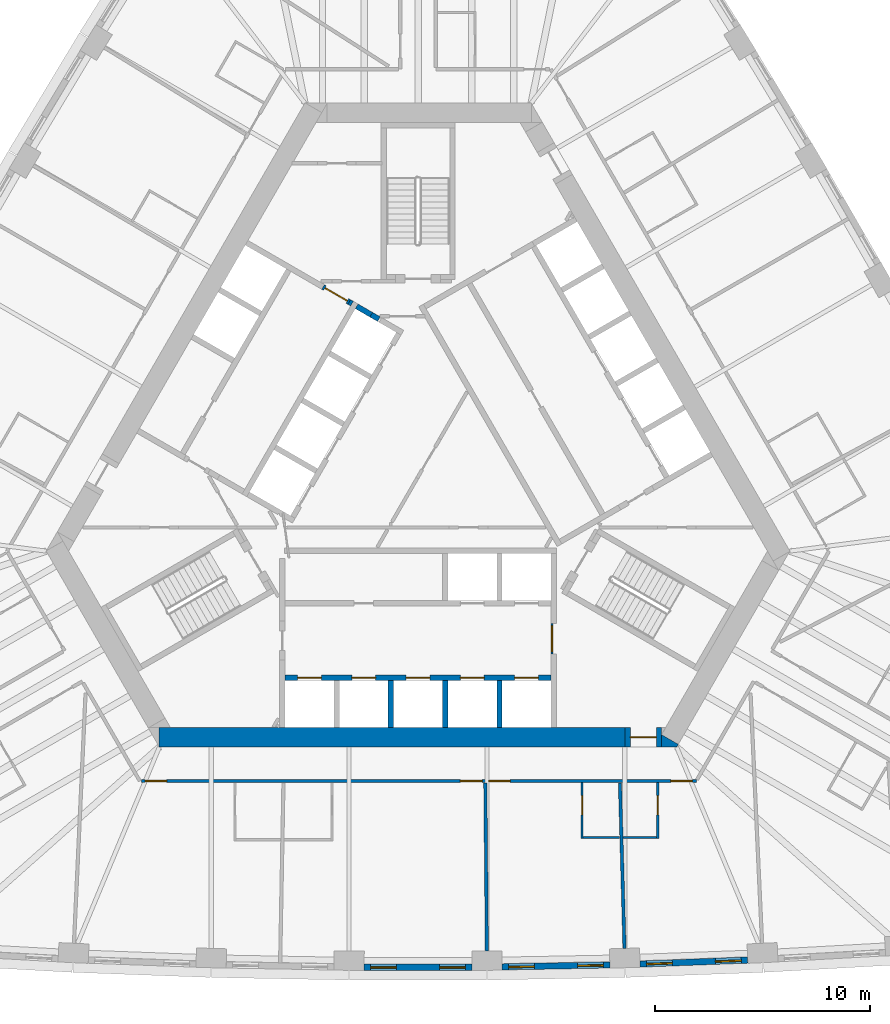
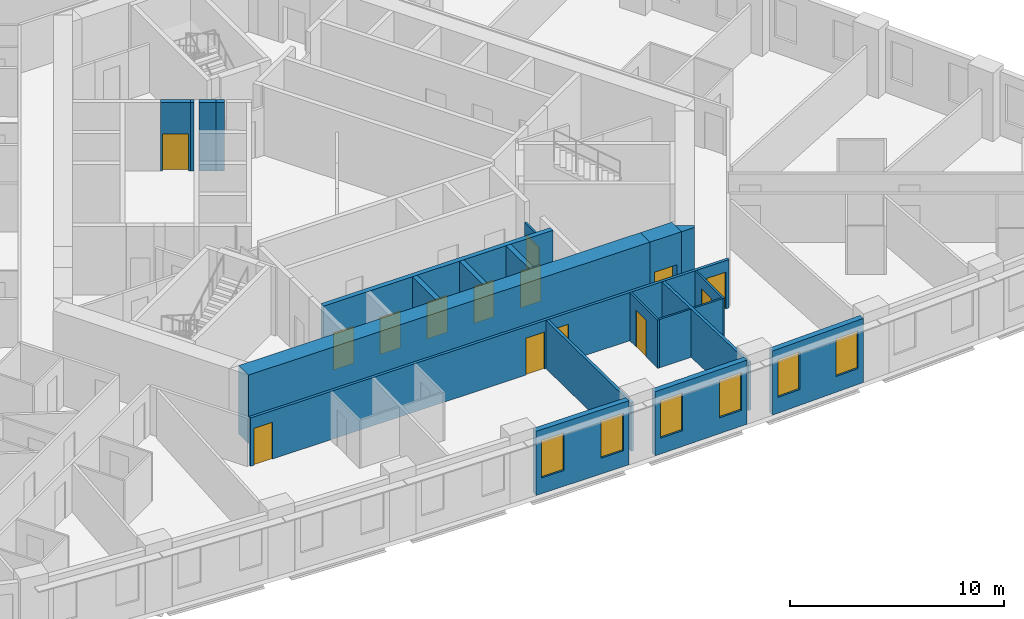
# One storey, part 6 of 13: 22 walls, 14 doors, 6 windows, 20 openings.
"""IFC4 building model written with IfcOpenShell, lengths in metres."""

from ifc_helpers import new_model, si_unit, direction, frame, frame_2d, origin, place, context, subcontext, project, spatial, polyline, rectangle, outline, extrude, material, layer, layer_set, type_object, element, fill, save


model = new_model("IFC4")

# Units and contexts
model_context = context("Model", 3, precision=1e-05, world=origin(), true_north=direction((0.0, 1.0)))
body_context = subcontext(model_context, "Body", "Model", "MODEL_VIEW")
ifc_project = project(units=[si_unit("LENGTHUNIT", "METRE"), si_unit("AREAUNIT", "SQUARE_METRE"), si_unit("VOLUMEUNIT", "CUBIC_METRE"), si_unit("PLANEANGLEUNIT", "RADIAN"), si_unit("MASSUNIT", "GRAM", prefix="KILO")], contexts=[model_context])

# Site, building, storey
site_placement = place(None, origin())
site = spatial("IfcSite", under=ifc_project, at=site_placement, CompositionType="ELEMENT")
building_placement = place(site_placement, origin())
building = spatial("IfcBuilding", under=site, at=building_placement, Name="Mestral Congress Tower", CompositionType="ELEMENT")
storey_placement = place(building_placement, frame((0.0, 0.0, 58.800048828125)))
storey = spatial("IfcBuildingStorey", under=building, at=storey_placement, Name="L13", CompositionType="ELEMENT", Elevation=58.800048828125)

# Wall, opening, door
ifc_material_1 = material(Name="Fire-rated board partition")
ifc_layer_1 = layer(ifc_material_1, 0.090087890625)
ifc_layer_set_1 = layer_set([ifc_layer_1], Name="Fire-rated board partition")
wall_type_1 = type_object("IfcWallType", Name="Core partition 150 door-wall 90", PredefinedType="PARTITIONING", material=ifc_layer_set_1)
wall_1_placement = place(storey_placement, frame((6.219970703125, -7.266357421875, 0.0), z_axis=(0.0, 0.0, 1.0), x_axis=(0.0, -1.0, 0.0)))
wall_1 = element("IfcWall", 1, at=wall_1_placement, inside=storey, type_object=wall_type_1, Name="L13 door wall", PredefinedType="PARTITIONING", context=body_context, shape_type="SweptSolid", body=[
    extrude(rectangle(XDim=1.400146484375, YDim=0.090087890625, at=frame_2d((0.7001953125, 0.0))), origin(), (0.0, 0.0, 1.0), 2.75),
])
opening_1_placement = place(wall_1_placement, frame((0.10009765625, 0.0, 0.0)))
opening_1 = element("IfcOpeningElement", 2, at=opening_1_placement, cuts=wall_1, Name="Opening LB0-WL1", PredefinedType="OPENING", context=body_context, shape_type="SweptSolid", body=[
    extrude(rectangle(XDim=1.199951171875, YDim=2.10009765625, at=frame_2d((0.60009765625, 1.050048828125))), frame((0.0, 0.054931640625, 0.0), z_axis=(0.0, -1.0, 0.0), x_axis=(1.0, 0.0, 0.0)), (0.0, 0.0, 1.0), 0.110107421875),
])
ifc_material_2 = material(Name="Fire-rated steel door set", Category="steel")
door_type_1 = type_object("IfcDoorType", Name="Core door LB 1200x2100", OperationType="SINGLE_SWING_LEFT", PredefinedType="DOOR", material=ifc_material_2)
door_1_placement = place(opening_1_placement, origin())
door_1 = element("IfcDoor", 3, at=door_1_placement, inside=storey, type_object=door_type_1, Name="Door LB0-WL1", OperationType="SINGLE_SWING_LEFT", OverallHeight=2.10009765625, OverallWidth=1.199951171875, PredefinedType="DOOR", context=body_context, shape_type="SweptSolid", body=[
    extrude(rectangle(XDim=1.199951171875, YDim=2.10009765625, at=frame_2d((0.60009765625, 1.050048828125))), frame((0.0, 0.02490234375, 0.0), z_axis=(0.0, -1.0, 0.0), x_axis=(1.0, 0.0, 0.0)), (0.0, 0.0, 1.0), 0.050048828125),
])
fill(opening_1, door_1)

# Walls
ifc_material_3 = material(Name="Concrete C60/75", Category="concrete")
ifc_layer_2 = layer(ifc_material_3, 0.89990234375)
ifc_layer_set_2 = layer_set([ifc_layer_2], Name="Concrete C60/75")
wall_type_2 = type_object("IfcWallType", Name="Core wall RC 900", PredefinedType="SOLIDWALL", material=ifc_layer_set_2)
placement = place(storey_placement, origin())
element("IfcWall", 4, at=placement, inside=storey, type_object=wall_type_2, Name="L13 core wall", PredefinedType="SOLIDWALL", context=body_context, shape_type="SweptSolid", body=[
    extrude(outline(polyline([(12.0087890625, -13.0), (11.31201171875, -13.0), (11.31201171875, -12.425048828125), (12.08349609375, -12.87060546875), (12.0087890625, -13.0)])), origin(), (0.0, 0.0, 1.0), 3.89990234375),
])
wall_3_placement = place(storey_placement, frame((-12.0185546875, -12.550048828125, 0.0), z_axis=(0.0, 0.0, 1.0), x_axis=(1.0, 0.0, 0.0)))
element("IfcWall", 5, at=wall_3_placement, inside=storey, type_object=wall_type_2, Name="L13 core wall", PredefinedType="SOLIDWALL", context=body_context, shape_type="SweptSolid", body=[
    extrude(rectangle(XDim=21.63037109375, YDim=0.89990234375, at=frame_2d((10.815185546875, 0.0))), origin(), (0.0, 0.0, 1.0), 3.89990234375),
])

# Wall, opening, door
wall_4_placement = place(storey_placement, frame((11.311767578125, -12.550048828125, 0.0), z_axis=(0.0, 0.0, 1.0), x_axis=(-1.0, 0.0, 0.0)))
wall_4 = element("IfcWall", 6, at=wall_4_placement, inside=storey, type_object=wall_type_2, Name="L13 door wall", PredefinedType="SOLIDWALL", context=body_context, shape_type="SweptSolid", body=[
    extrude(rectangle(XDim=1.699951171875, YDim=0.89990234375, at=frame_2d((0.85009765625, 0.0))), origin(), (0.0, 0.0, 1.0), 3.89990234375),
])
opening_2_placement = place(wall_4_placement, frame((0.25, 0.0, 0.0)))
opening_2 = element("IfcOpeningElement", 7, at=opening_2_placement, cuts=wall_4, Name="Opening XD1", PredefinedType="OPENING", context=body_context, shape_type="SweptSolid", body=[
    extrude(rectangle(XDim=1.199951171875, YDim=2.10009765625, at=frame_2d((0.60009765625, 1.050048828125))), frame((0.0, 0.4599609375, 0.0), z_axis=(0.0, -1.0, 0.0), x_axis=(1.0, 0.0, 0.0)), (0.0, 0.0, 1.0), 0.919921875),
])
door_type_2 = type_object("IfcDoorType", Name="Core door XD 1200x2100", OperationType="SINGLE_SWING_LEFT", PredefinedType="DOOR", material=ifc_material_2)
door_2_placement = place(opening_2_placement, origin())
door_2 = element("IfcDoor", 8, at=door_2_placement, inside=storey, type_object=door_type_2, Name="Door XD1", OperationType="SINGLE_SWING_LEFT", OverallHeight=2.10009765625, OverallWidth=1.199951171875, PredefinedType="DOOR", context=body_context, shape_type="SweptSolid", body=[
    extrude(rectangle(XDim=1.199951171875, YDim=2.10009765625, at=frame_2d((0.60009765625, 1.050048828125))), frame((0.0, 0.02490234375, 0.0), z_axis=(0.0, -1.0, 0.0), x_axis=(1.0, 0.0, 0.0)), (0.0, 0.0, 1.0), 0.050048828125),
])
fill(opening_2, door_2)

# Wall, openings, windows
ifc_material_4 = material(Name="Precast concrete C40/50 with limestone facing", Category="masonry")
ifc_layer_3 = layer(ifc_material_4, 0.2900390625)
ifc_layer_set_3 = layer_set([ifc_layer_3], Name="Precast concrete C40/50 with limestone facing")
wall_type_3 = type_object("IfcWallType", Name="Facade stone wall 290", PredefinedType="SOLIDWALL", material=ifc_layer_set_3)
wall_5_placement = place(storey_placement, frame((-2.4990234375, -23.21826171875, 0.0), z_axis=(0.0, 0.0, 1.0), x_axis=(1.0, 0.0, 0.0)))
wall_5 = element("IfcWall", 9, at=wall_5_placement, inside=storey, type_object=wall_type_3, Name="Facade wall F0-04", PredefinedType="SOLIDWALL", context=body_context, shape_type="SweptSolid", body=[
    extrude(rectangle(XDim=4.998046875, YDim=0.2900390625, at=frame_2d((2.4990234375, 0.0))), origin(), (0.0, 0.0, 1.0), 3.64990234375),
])
opening_3_placement = place(wall_5_placement, frame((0.297119140625, 0.0, 0.89990234375)))
opening_3 = element("IfcOpeningElement", 10, at=opening_3_placement, cuts=wall_5, Name="Opening W1", PredefinedType="OPENING", context=body_context, shape_type="SweptSolid", body=[
    extrude(rectangle(XDim=1.199951171875, YDim=2.14990234375, at=frame_2d((0.60009765625, 1.074951171875))), frame((0.0, 0.155029296875, 0.0), z_axis=(0.0, -1.0, 0.0), x_axis=(1.0, 0.0, 0.0)), (0.0, 0.0, 1.0), 0.31005859375),
])
opening_4_placement = place(wall_5_placement, frame((3.501220703125, 0.0, 0.89990234375)))
opening_4 = element("IfcOpeningElement", 11, at=opening_4_placement, cuts=wall_5, Name="Opening W1", PredefinedType="OPENING", context=body_context, shape_type="SweptSolid", body=[
    extrude(rectangle(XDim=1.199951171875, YDim=2.14990234375, at=frame_2d((0.60009765625, 1.074951171875))), frame((0.0, 0.155029296875, 0.0), z_axis=(0.0, -1.0, 0.0), x_axis=(1.0, 0.0, 0.0)), (0.0, 0.0, 1.0), 0.31005859375),
])
ifc_material_5 = material(Name="Clear low-emissivity double glazing", Category="glass")
window_type = type_object("IfcWindowType", Name="Facade punched window 1200 x 2150 sill 900", PartitioningType="DOUBLE_PANEL_VERTICAL", PredefinedType="WINDOW", material=ifc_material_5)
window_1_placement = place(opening_3_placement, origin())
window_1 = element("IfcWindow", 12, at=window_1_placement, inside=storey, type_object=window_type, Name="Window F0-04a", OverallHeight=2.14990234375, OverallWidth=1.199951171875, PartitioningType="DOUBLE_PANEL_VERTICAL", PredefinedType="WINDOW", context=body_context, shape_type="SweptSolid", body=[
    extrude(rectangle(XDim=1.199951171875, YDim=2.14990234375, at=frame_2d((0.60009765625, 1.074951171875))), frame((0.0, 0.01513671875, 0.0), z_axis=(0.0, -1.0, 0.0), x_axis=(1.0, 0.0, 0.0)), (0.0, 0.0, 1.0), 0.06005859375),
])
fill(opening_3, window_1)
window_2_placement = place(opening_4_placement, origin())
window_2 = element("IfcWindow", 13, at=window_2_placement, inside=storey, type_object=window_type, Name="Window F0-04b", OverallHeight=2.14990234375, OverallWidth=1.199951171875, PartitioningType="DOUBLE_PANEL_VERTICAL", PredefinedType="WINDOW", context=body_context, shape_type="SweptSolid", body=[
    extrude(rectangle(XDim=1.199951171875, YDim=2.14990234375, at=frame_2d((0.60009765625, 1.074951171875))), frame((0.0, 0.01513671875, 0.0), z_axis=(0.0, -1.0, 0.0), x_axis=(1.0, 0.0, 0.0)), (0.0, 0.0, 1.0), 0.06005859375),
])
fill(opening_4, window_2)

wall_6_placement = place(storey_placement, frame((3.90625, -23.205078125, 0.0), z_axis=(0.0, 0.0, 1.0), x_axis=(0.999829529479, 0.018463801951, 0.0)))
wall_6 = element("IfcWall", 14, at=wall_6_placement, inside=storey, type_object=wall_type_3, Name="Facade wall F0-05", PredefinedType="SOLIDWALL", context=body_context, shape_type="SweptSolid", body=[
    extrude(rectangle(XDim=4.998046875, YDim=0.2900390625, at=frame_2d((2.4990234375, 0.0))), origin(), (0.0, 0.0, 1.0), 3.64990234375),
])
opening_5_placement = place(wall_6_placement, frame((0.297119140625, 0.0, 0.89990234375)))
opening_5 = element("IfcOpeningElement", 15, at=opening_5_placement, cuts=wall_6, Name="Opening W1", PredefinedType="OPENING", context=body_context, shape_type="SweptSolid", body=[
    extrude(rectangle(XDim=1.199951171875, YDim=2.14990234375, at=frame_2d((0.60009765625, 1.074951171875))), frame((0.0, 0.155029296875, 0.0), z_axis=(0.0, -1.0, 0.0), x_axis=(1.0, 0.0, 0.0)), (0.0, 0.0, 1.0), 0.31005859375),
])
opening_6_placement = place(wall_6_placement, frame((3.501220703125, 0.0, 0.89990234375)))
opening_6 = element("IfcOpeningElement", 16, at=opening_6_placement, cuts=wall_6, Name="Opening W1", PredefinedType="OPENING", context=body_context, shape_type="SweptSolid", body=[
    extrude(rectangle(XDim=1.199951171875, YDim=2.14990234375, at=frame_2d((0.60009765625, 1.074951171875))), frame((0.0, 0.155029296875, 0.0), z_axis=(0.0, -1.0, 0.0), x_axis=(1.0, 0.0, 0.0)), (0.0, 0.0, 1.0), 0.31005859375),
])
window_3_placement = place(opening_5_placement, origin())
window_3 = element("IfcWindow", 17, at=window_3_placement, inside=storey, type_object=window_type, Name="Window F0-05a", OverallHeight=2.14990234375, OverallWidth=1.199951171875, PartitioningType="DOUBLE_PANEL_VERTICAL", PredefinedType="WINDOW", context=body_context, shape_type="SweptSolid", body=[
    extrude(rectangle(XDim=1.199951171875, YDim=2.14990234375, at=frame_2d((0.60009765625, 1.074951171875))), frame((0.0, 0.01513671875, 0.0), z_axis=(0.0, -1.0, 0.0), x_axis=(1.0, 0.0, 0.0)), (0.0, 0.0, 1.0), 0.06005859375),
])
fill(opening_5, window_3)
window_4_placement = place(opening_6_placement, origin())
window_4 = element("IfcWindow", 18, at=window_4_placement, inside=storey, type_object=window_type, Name="Window F0-05b", OverallHeight=2.14990234375, OverallWidth=1.199951171875, PartitioningType="DOUBLE_PANEL_VERTICAL", PredefinedType="WINDOW", context=body_context, shape_type="SweptSolid", body=[
    extrude(rectangle(XDim=1.199951171875, YDim=2.14990234375, at=frame_2d((0.60009765625, 1.074951171875))), frame((0.0, 0.01513671875, 0.0), z_axis=(0.0, -1.0, 0.0), x_axis=(1.0, 0.0, 0.0)), (0.0, 0.0, 1.0), 0.06005859375),
])
fill(opening_6, window_4)

wall_7_placement = place(storey_placement, frame((10.310302734375, -23.07373046875, 0.0), z_axis=(0.0, 0.0, 1.0), x_axis=(0.999317974969, 0.036926750529, 0.0)))
wall_7 = element("IfcWall", 19, at=wall_7_placement, inside=storey, type_object=wall_type_3, Name="Facade wall F0-06", PredefinedType="SOLIDWALL", context=body_context, shape_type="SweptSolid", body=[
    extrude(rectangle(XDim=4.998291015625, YDim=0.2900390625, at=frame_2d((2.4990234375, 0.0))), origin(), (0.0, 0.0, 1.0), 3.64990234375),
])
opening_7_placement = place(wall_7_placement, frame((0.297119140625, 0.0, 0.89990234375)))
opening_7 = element("IfcOpeningElement", 20, at=opening_7_placement, cuts=wall_7, Name="Opening W1", PredefinedType="OPENING", context=body_context, shape_type="SweptSolid", body=[
    extrude(rectangle(XDim=1.199951171875, YDim=2.14990234375, at=frame_2d((0.60009765625, 1.074951171875))), frame((0.0, 0.155029296875, 0.0), z_axis=(0.0, -1.0, 0.0), x_axis=(1.0, 0.0, 0.0)), (0.0, 0.0, 1.0), 0.31005859375),
])
opening_8_placement = place(wall_7_placement, frame((3.501220703125, 0.0, 0.89990234375)))
opening_8 = element("IfcOpeningElement", 21, at=opening_8_placement, cuts=wall_7, Name="Opening W1", PredefinedType="OPENING", context=body_context, shape_type="SweptSolid", body=[
    extrude(rectangle(XDim=1.199951171875, YDim=2.14990234375, at=frame_2d((0.60009765625, 1.074951171875))), frame((0.0, 0.155029296875, 0.0), z_axis=(0.0, -1.0, 0.0), x_axis=(1.0, 0.0, 0.0)), (0.0, 0.0, 1.0), 0.31005859375),
])
window_5_placement = place(opening_7_placement, origin())
window_5 = element("IfcWindow", 22, at=window_5_placement, inside=storey, type_object=window_type, Name="Window F0-06a", OverallHeight=2.14990234375, OverallWidth=1.199951171875, PartitioningType="DOUBLE_PANEL_VERTICAL", PredefinedType="WINDOW", context=body_context, shape_type="SweptSolid", body=[
    extrude(rectangle(XDim=1.199951171875, YDim=2.14990234375, at=frame_2d((0.60009765625, 1.074951171875))), frame((0.0, 0.01513671875, 0.0), z_axis=(0.0, -1.0, 0.0), x_axis=(1.0, 0.0, 0.0)), (0.0, 0.0, 1.0), 0.06005859375),
])
fill(opening_7, window_5)
window_6_placement = place(opening_8_placement, origin())
window_6 = element("IfcWindow", 23, at=window_6_placement, inside=storey, type_object=window_type, Name="Window F0-06b", OverallHeight=2.14990234375, OverallWidth=1.199951171875, PartitioningType="DOUBLE_PANEL_VERTICAL", PredefinedType="WINDOW", context=body_context, shape_type="SweptSolid", body=[
    extrude(rectangle(XDim=1.199951171875, YDim=2.14990234375, at=frame_2d((0.60009765625, 1.074951171875))), frame((0.0, 0.01513671875, 0.0), z_axis=(0.0, -1.0, 0.0), x_axis=(1.0, 0.0, 0.0)), (0.0, 0.0, 1.0), 0.06005859375),
])
fill(opening_8, window_6)

# Wall, opening, door
ifc_material_6 = material(Name="Gypsum board partition on metal studs with mineral wool", Category="composite")
ifc_layer_4 = layer(ifc_material_6, 0.10009765625)
ifc_layer_set_4 = layer_set([ifc_layer_4], Name="Gypsum board partition on metal studs with mineral wool")
wall_type_4 = type_object("IfcWallType", Name="Hotel partition wall 100", PredefinedType="PARTITIONING", material=ifc_layer_set_4)
wall_8_placement = place(storey_placement, frame((7.619140625, -14.64990234375, 0.0), z_axis=(0.0, 0.0, 1.0), x_axis=(0.0, -1.0, 0.0)))
wall_8 = element("IfcWall", 24, at=wall_8_placement, inside=storey, type_object=wall_type_4, Name="L13-h-pod05a", PredefinedType="PARTITIONING", context=body_context, shape_type="SweptSolid", body=[
    extrude(rectangle(XDim=2.60009765625, YDim=0.10009765625, at=frame_2d((1.300048828125, 0.0))), origin(), (0.0, 0.0, 1.0), 2.75),
])
opening_9_placement = place(wall_8_placement, frame((0.60009765625, 0.0, 0.0)))
opening_9 = element("IfcOpeningElement", 25, at=opening_9_placement, cuts=wall_8, Name="Opening H03-010", PredefinedType="OPENING", context=body_context, shape_type="SweptSolid", body=[
    extrude(rectangle(XDim=0.89990234375, YDim=2.10009765625, at=frame_2d((0.449951171875, 1.050048828125))), frame((0.0, 0.06005859375, 0.0), z_axis=(0.0, -1.0, 0.0), x_axis=(1.0, 0.0, 0.0)), (0.0, 0.0, 1.0), 0.1201171875),
])
ifc_material_7 = material(Name="Timber veneer door leaf in timber frame", Category="wood")
door_type_3 = type_object("IfcDoorType", Name="Bathroom door 900", OperationType="SINGLE_SWING_LEFT", PredefinedType="DOOR", material=ifc_material_7)
door_3_placement = place(opening_9_placement, origin())
door_3 = element("IfcDoor", 26, at=door_3_placement, inside=storey, type_object=door_type_3, Name="L13-h-d010", OperationType="SINGLE_SWING_LEFT", OverallHeight=2.10009765625, OverallWidth=0.89990234375, PredefinedType="DOOR", context=body_context, shape_type="SweptSolid", body=[
    extrude(rectangle(XDim=0.89990234375, YDim=2.10009765625, at=frame_2d((0.449951171875, 1.050048828125))), frame((0.0, 0.02490234375, 0.0), z_axis=(0.0, -1.0, 0.0), x_axis=(1.0, 0.0, 0.0)), (0.0, 0.0, 1.0), 0.050048828125),
])
fill(opening_9, door_3)

# Wall
wall_9_placement = place(storey_placement, frame((7.669189453125, -17.199951171875, 0.0), z_axis=(0.0, 0.0, 1.0), x_axis=(1.0, 0.0, 0.0)))
element("IfcWall", 27, at=wall_9_placement, inside=storey, type_object=wall_type_4, Name="L13-h-pod05b", PredefinedType="PARTITIONING", context=body_context, shape_type="SweptSolid", body=[
    extrude(rectangle(XDim=1.68994140625, YDim=0.10009765625, at=frame_2d((0.844970703125, 0.0))), origin(), (0.0, 0.0, 1.0), 2.75),
])

# Wall, opening, door
wall_10_placement = place(storey_placement, frame((11.126708984375, -17.25, 0.0), z_axis=(0.0, 0.0, 1.0), x_axis=(0.0, 1.0, 0.0)))
wall_10 = element("IfcWall", 28, at=wall_10_placement, inside=storey, type_object=wall_type_4, Name="L13-h-pod06a", PredefinedType="PARTITIONING", context=body_context, shape_type="SweptSolid", body=[
    extrude(rectangle(XDim=2.60009765625, YDim=0.10009765625, at=frame_2d((1.300048828125, 0.0))), origin(), (0.0, 0.0, 1.0), 2.75),
])
opening_10_placement = place(wall_10_placement, frame((1.10009765625, 0.0, 0.0)))
opening_10 = element("IfcOpeningElement", 29, at=opening_10_placement, cuts=wall_10, Name="Opening H03-012", PredefinedType="OPENING", context=body_context, shape_type="SweptSolid", body=[
    extrude(rectangle(XDim=0.89990234375, YDim=2.10009765625, at=frame_2d((0.449951171875, 1.050048828125))), frame((0.0, 0.06005859375, 0.0), z_axis=(0.0, -1.0, 0.0), x_axis=(1.0, 0.0, 0.0)), (0.0, 0.0, 1.0), 0.1201171875),
])
door_4_placement = place(opening_10_placement, origin())
door_4 = element("IfcDoor", 30, at=door_4_placement, inside=storey, type_object=door_type_3, Name="L13-h-d012", OperationType="SINGLE_SWING_RIGHT", OverallHeight=2.10009765625, OverallWidth=0.89990234375, PredefinedType="DOOR", context=body_context, shape_type="SweptSolid", body=[
    extrude(rectangle(XDim=0.89990234375, YDim=2.10009765625, at=frame_2d((0.449951171875, 1.050048828125))), frame((0.0, 0.02490234375, 0.0), z_axis=(0.0, -1.0, 0.0), x_axis=(1.0, 0.0, 0.0)), (0.0, 0.0, 1.0), 0.050048828125),
])
fill(opening_10, door_4)

# Wall
wall_11_placement = place(storey_placement, frame((11.07666015625, -17.199951171875, 0.0), z_axis=(0.0, 0.0, 1.0), x_axis=(-1.0, 0.0, 0.0)))
element("IfcWall", 31, at=wall_11_placement, inside=storey, type_object=wall_type_4, Name="L13-h-pod06b", PredefinedType="PARTITIONING", context=body_context, shape_type="SweptSolid", body=[
    extrude(rectangle(XDim=1.550048828125, YDim=0.10009765625, at=frame_2d((0.77490234375, 0.0))), origin(), (0.0, 0.0, 1.0), 2.75),
])

# Wall, openings, doors
ifc_layer_5 = layer(ifc_material_6, 0.14990234375)
ifc_layer_set_5 = layer_set([ifc_layer_5], Name="Gypsum board partition on metal studs with mineral wool")
wall_type_5 = type_object("IfcWallType", Name="Hotel partition wall 150", PredefinedType="PARTITIONING", material=ifc_layer_set_5)
wall_12_placement = place(storey_placement, frame((12.918212890625, -14.574951171875, 0.0), z_axis=(0.0, 0.0, 1.0), x_axis=(-1.0, 0.0, 0.0)))
wall_12 = element("IfcWall", 32, at=wall_12_placement, inside=storey, type_object=wall_type_5, Name="L13-h-cw13", PredefinedType="PARTITIONING", context=body_context, shape_type="SweptSolid", body=[
    extrude(rectangle(XDim=25.766357421875, YDim=0.14990234375, at=frame_2d((12.88330078125, 0.0))), origin(), (0.0, 0.0, 1.0), 2.75),
])
opening_11_placement = place(wall_12_placement, frame((24.58642578125, 0.0, 0.0)))
opening_11 = element("IfcOpeningElement", 33, at=opening_11_placement, cuts=wall_12, Name="Opening H03-005", PredefinedType="OPENING", context=body_context, shape_type="SweptSolid", body=[
    extrude(rectangle(XDim=1.0, YDim=2.10009765625, at=frame_2d((0.5, 1.050048828125))), frame((0.0, 0.0849609375, 0.0), z_axis=(0.0, -1.0, 0.0), x_axis=(1.0, 0.0, 0.0)), (0.0, 0.0, 1.0), 0.169921875),
])
opening_12_placement = place(wall_12_placement, frame((9.947998046875, 0.0, 0.0)))
opening_12 = element("IfcOpeningElement", 34, at=opening_12_placement, cuts=wall_12, Name="Opening H03-007", PredefinedType="OPENING", context=body_context, shape_type="SweptSolid", body=[
    extrude(rectangle(XDim=1.0, YDim=2.10009765625, at=frame_2d((0.5, 1.050048828125))), frame((0.0, 0.0849609375, 0.0), z_axis=(0.0, -1.0, 0.0), x_axis=(1.0, 0.0, 0.0)), (0.0, 0.0, 1.0), 0.169921875),
])
opening_13_placement = place(wall_12_placement, frame((8.6416015625, 0.0, 0.0)))
opening_13 = element("IfcOpeningElement", 35, at=opening_13_placement, cuts=wall_12, Name="Opening H03-009", PredefinedType="OPENING", context=body_context, shape_type="SweptSolid", body=[
    extrude(rectangle(XDim=1.0, YDim=2.10009765625, at=frame_2d((0.5, 1.050048828125))), frame((0.0, 0.0849609375, 0.0), z_axis=(0.0, -1.0, 0.0), x_axis=(1.0, 0.0, 0.0)), (0.0, 0.0, 1.0), 0.169921875),
])
opening_14_placement = place(wall_12_placement, frame((0.179931640625, 0.0, 0.0)))
opening_14 = element("IfcOpeningElement", 36, at=opening_14_placement, cuts=wall_12, Name="Opening H03-011", PredefinedType="OPENING", context=body_context, shape_type="SweptSolid", body=[
    extrude(rectangle(XDim=1.0, YDim=2.10009765625, at=frame_2d((0.5, 1.050048828125))), frame((0.0, 0.0849609375, 0.0), z_axis=(0.0, -1.0, 0.0), x_axis=(1.0, 0.0, 0.0)), (0.0, 0.0, 1.0), 0.169921875),
])
ifc_material_8 = material(Name="Timber veneer door leaf in metal frame", Category="wood")
door_type_4 = type_object("IfcDoorType", Name="Guest room entrance door 1000", OperationType="SINGLE_SWING_LEFT", PredefinedType="DOOR", material=ifc_material_8)
door_5_placement = place(opening_11_placement, origin())
door_5 = element("IfcDoor", 37, at=door_5_placement, inside=storey, type_object=door_type_4, Name="L13-h-d005", OperationType="SINGLE_SWING_RIGHT", OverallHeight=2.10009765625, OverallWidth=1.0, PredefinedType="DOOR", context=body_context, shape_type="SweptSolid", body=[
    extrude(rectangle(XDim=1.0, YDim=2.10009765625, at=frame_2d((0.5, 1.050048828125))), frame((0.0, 0.02490234375, 0.0), z_axis=(0.0, -1.0, 0.0), x_axis=(1.0, 0.0, 0.0)), (0.0, 0.0, 1.0), 0.050048828125),
])
fill(opening_11, door_5)
door_6_placement = place(opening_12_placement, origin())
door_6 = element("IfcDoor", 38, at=door_6_placement, inside=storey, type_object=door_type_4, Name="L13-h-d007", OperationType="SINGLE_SWING_LEFT", OverallHeight=2.10009765625, OverallWidth=1.0, PredefinedType="DOOR", context=body_context, shape_type="SweptSolid", body=[
    extrude(rectangle(XDim=1.0, YDim=2.10009765625, at=frame_2d((0.5, 1.050048828125))), frame((0.0, 0.02490234375, 0.0), z_axis=(0.0, -1.0, 0.0), x_axis=(1.0, 0.0, 0.0)), (0.0, 0.0, 1.0), 0.050048828125),
])
fill(opening_12, door_6)
door_7_placement = place(opening_13_placement, origin())
door_7 = element("IfcDoor", 39, at=door_7_placement, inside=storey, type_object=door_type_4, Name="L13-h-d009", OperationType="SINGLE_SWING_RIGHT", OverallHeight=2.10009765625, OverallWidth=1.0, PredefinedType="DOOR", context=body_context, shape_type="SweptSolid", body=[
    extrude(rectangle(XDim=1.0, YDim=2.10009765625, at=frame_2d((0.5, 1.050048828125))), frame((0.0, 0.02490234375, 0.0), z_axis=(0.0, -1.0, 0.0), x_axis=(1.0, 0.0, 0.0)), (0.0, 0.0, 1.0), 0.050048828125),
])
fill(opening_13, door_7)
door_8_placement = place(opening_14_placement, origin())
door_8 = element("IfcDoor", 40, at=door_8_placement, inside=storey, type_object=door_type_4, Name="L13-h-d011", OperationType="SINGLE_SWING_LEFT", OverallHeight=2.10009765625, OverallWidth=1.0, PredefinedType="DOOR", context=body_context, shape_type="SweptSolid", body=[
    extrude(rectangle(XDim=1.0, YDim=2.10009765625, at=frame_2d((0.5, 1.050048828125))), frame((0.0, 0.02490234375, 0.0), z_axis=(0.0, -1.0, 0.0), x_axis=(1.0, 0.0, 0.0)), (0.0, 0.0, 1.0), 0.050048828125),
])
fill(opening_14, door_8)

# Walls
wall_13_placement = place(storey_placement, frame((3.19580078125, -22.463134765625, 0.0), z_axis=(0.0, 0.0, 1.0), x_axis=(-0.00926060032, 0.999957119721, 0.0)))
element("IfcWall", 41, at=wall_13_placement, inside=storey, type_object=wall_type_5, Name="L13-h-pw17", PredefinedType="PARTITIONING", context=body_context, shape_type="SweptSolid", body=[
    extrude(rectangle(XDim=7.803466796875, YDim=0.14990234375, at=frame_2d((3.90185546875, 0.0))), origin(), (0.0, 0.0, 1.0), 2.75),
])
wall_14_placement = place(storey_placement, frame((9.586181640625, -22.34521484375, 0.0), z_axis=(0.0, 0.0, 1.0), x_axis=(-0.027722115646, 0.999615668297, 0.0)))
element("IfcWall", 42, at=wall_14_placement, inside=storey, type_object=wall_type_5, Name="L13-h-pw19", PredefinedType="PARTITIONING", context=body_context, shape_type="SweptSolid", body=[
    extrude(rectangle(XDim=7.688232421875, YDim=0.14990234375, at=frame_2d((3.84423828125, 0.0))), origin(), (0.0, 0.0, 1.0), 2.75),
])
ifc_layer_6 = layer(ifc_material_3, 0.25)
ifc_layer_set_6 = layer_set([ifc_layer_6], Name="Concrete C60/75")
wall_type_6 = type_object("IfcWallType", Name="Shaft wall RC 250", PredefinedType="SOLIDWALL", material=ifc_layer_set_6)
for number, where, z_axis, x_axis, name in (
    (43, (3.780029296875, -12.10009765625, 0.0), (0.0, 0.0, 1.0), (0.0, 1.0, 0.0), "L13 core wall"),
    (44, (1.260009765625, -12.10009765625, 0.0), (0.0, 0.0, 1.0), (0.0, 1.0, 0.0), "L13 core wall"),
    (45, (-1.260009765625, -12.10009765625, 0.0), (0.0, 0.0, 1.0), (0.0, 1.0, 0.0), "L13 core wall"),
):
    element("IfcWall", number, at=place(storey_placement, frame(where, z_axis=z_axis, x_axis=x_axis)), inside=storey, type_object=wall_type_6, Name=name, PredefinedType="SOLIDWALL", context=body_context, shape_type="SweptSolid", body=[
        extrude(rectangle(XDim=2.199951171875, YDim=0.25, at=frame_2d((1.10009765625, 0.0))), origin(), (0.0, 0.0, 1.0), 3.89990234375),
    ])
wall_15_placement = place(storey_placement, frame((-1.818603515625, 6.869873046875, 0.0), z_axis=(0.0, 0.0, 1.0), x_axis=(-0.866294599386, 0.499533449405, 0.0)))
element("IfcWall", 46, at=wall_15_placement, inside=storey, type_object=wall_type_6, Name="L13 core wall", PredefinedType="SOLIDWALL", context=body_context, shape_type="SweptSolid", body=[
    extrude(rectangle(XDim=0.41015625, YDim=0.25, at=frame_2d((0.205078125, 0.0))), origin(), (0.0, 0.0, 1.0), 3.89990234375),
])
wall_16_placement = place(storey_placement, frame((-2.849365234375, 7.46484375, 0.0), z_axis=(0.0, 0.0, 1.0), x_axis=(0.865955664968, -0.500120771724, 0.0)))
element("IfcWall", 47, at=wall_16_placement, inside=storey, type_object=wall_type_6, Name="L13 core wall", PredefinedType="SOLIDWALL", context=body_context, shape_type="SweptSolid", body=[
    extrude(rectangle(XDim=0.778076171875, YDim=0.25, at=frame_2d((0.38916015625, 0.0))), origin(), (0.0, 0.0, 1.0), 3.89990234375),
])
element("IfcWall", 48, at=placement, inside=storey, type_object=wall_type_6, Name="L13 core wall", PredefinedType="SOLIDWALL", context=body_context, shape_type="SweptSolid", body=[
    extrude(outline(polyline([(-3.12841796875, 7.4814453125), (-3.2587890625, 7.556640625), (-3.1337890625, 7.773193359375), (-3.00341796875, 7.697998046875), (-3.12841796875, 7.4814453125)])), origin(), (0.0, 0.0, 1.0), 3.89990234375),
])

# Wall, openings, doors
wall_18_placement = place(storey_placement, frame((-6.175048828125, -9.77490234375, 0.0), z_axis=(0.0, 0.0, 1.0), x_axis=(1.0, 0.0, 0.0)))
wall_18 = element("IfcWall", 49, at=wall_18_placement, inside=storey, type_object=wall_type_6, Name="L13 door wall", PredefinedType="SOLIDWALL", context=body_context, shape_type="SweptSolid", body=[
    extrude(rectangle(XDim=12.35009765625, YDim=0.25, at=frame_2d((6.175048828125, 0.0))), origin(), (0.0, 0.0, 1.0), 3.89990234375),
])
opening_15_placement = place(wall_18_placement, frame((0.5849609375, 0.0, 0.0)))
opening_15 = element("IfcOpeningElement", 50, at=opening_15_placement, cuts=wall_18, Name="Opening LD-SOA1", PredefinedType="OPENING", context=body_context, shape_type="SweptSolid", body=[
    extrude(rectangle(XDim=1.10009765625, YDim=2.10009765625, at=frame_2d((0.550048828125, 1.050048828125))), frame((0.0, 0.135009765625, 0.0), z_axis=(0.0, -1.0, 0.0), x_axis=(1.0, 0.0, 0.0)), (0.0, 0.0, 1.0), 0.27001953125),
])
opening_16_placement = place(wall_18_placement, frame((3.10498046875, 0.0, 0.0)))
opening_16 = element("IfcOpeningElement", 51, at=opening_16_placement, cuts=wall_18, Name="Opening LD-SOA2", PredefinedType="OPENING", context=body_context, shape_type="SweptSolid", body=[
    extrude(rectangle(XDim=1.10009765625, YDim=2.10009765625, at=frame_2d((0.550048828125, 1.050048828125))), frame((0.0, 0.135009765625, 0.0), z_axis=(0.0, -1.0, 0.0), x_axis=(1.0, 0.0, 0.0)), (0.0, 0.0, 1.0), 0.27001953125),
])
opening_17_placement = place(wall_18_placement, frame((5.625, 0.0, 0.0)))
opening_17 = element("IfcOpeningElement", 52, at=opening_17_placement, cuts=wall_18, Name="Opening LD-SOA3", PredefinedType="OPENING", context=body_context, shape_type="SweptSolid", body=[
    extrude(rectangle(XDim=1.10009765625, YDim=2.10009765625, at=frame_2d((0.550048828125, 1.050048828125))), frame((0.0, 0.135009765625, 0.0), z_axis=(0.0, -1.0, 0.0), x_axis=(1.0, 0.0, 0.0)), (0.0, 0.0, 1.0), 0.27001953125),
])
opening_18_placement = place(wall_18_placement, frame((8.14501953125, 0.0, 0.0)))
opening_18 = element("IfcOpeningElement", 53, at=opening_18_placement, cuts=wall_18, Name="Opening LD-SOA4", PredefinedType="OPENING", context=body_context, shape_type="SweptSolid", body=[
    extrude(rectangle(XDim=1.10009765625, YDim=2.10009765625, at=frame_2d((0.550048828125, 1.050048828125))), frame((0.0, 0.135009765625, 0.0), z_axis=(0.0, -1.0, 0.0), x_axis=(1.0, 0.0, 0.0)), (0.0, 0.0, 1.0), 0.27001953125),
])
opening_19_placement = place(wall_18_placement, frame((10.6650390625, 0.0, 0.0)))
opening_19 = element("IfcOpeningElement", 54, at=opening_19_placement, cuts=wall_18, Name="Opening LD-SOA5", PredefinedType="OPENING", context=body_context, shape_type="SweptSolid", body=[
    extrude(rectangle(XDim=1.10009765625, YDim=2.10009765625, at=frame_2d((0.550048828125, 1.050048828125))), frame((0.0, 0.135009765625, 0.0), z_axis=(0.0, -1.0, 0.0), x_axis=(1.0, 0.0, 0.0)), (0.0, 0.0, 1.0), 0.27001953125),
])
door_type_5 = type_object("IfcDoorType", Name="Core door LD 1100x2100", OperationType="DOUBLE_DOOR_SLIDING", PredefinedType="DOOR", material=ifc_material_2)
door_9_placement = place(opening_15_placement, origin())
door_9 = element("IfcDoor", 55, at=door_9_placement, inside=storey, type_object=door_type_5, Name="Door LD-SOA1", OperationType="DOUBLE_DOOR_SLIDING", OverallHeight=2.10009765625, OverallWidth=1.10009765625, PredefinedType="DOOR", context=body_context, shape_type="SweptSolid", body=[
    extrude(rectangle(XDim=1.10009765625, YDim=2.10009765625, at=frame_2d((0.550048828125, 1.050048828125))), frame((0.0, 0.02490234375, 0.0), z_axis=(0.0, -1.0, 0.0), x_axis=(1.0, 0.0, 0.0)), (0.0, 0.0, 1.0), 0.050048828125),
])
fill(opening_15, door_9)
door_10_placement = place(opening_16_placement, origin())
door_10 = element("IfcDoor", 56, at=door_10_placement, inside=storey, type_object=door_type_5, Name="Door LD-SOA2", OperationType="DOUBLE_DOOR_SLIDING", OverallHeight=2.10009765625, OverallWidth=1.10009765625, PredefinedType="DOOR", context=body_context, shape_type="SweptSolid", body=[
    extrude(rectangle(XDim=1.10009765625, YDim=2.10009765625, at=frame_2d((0.550048828125, 1.050048828125))), frame((0.0, 0.02490234375, 0.0), z_axis=(0.0, -1.0, 0.0), x_axis=(1.0, 0.0, 0.0)), (0.0, 0.0, 1.0), 0.050048828125),
])
fill(opening_16, door_10)
door_11_placement = place(opening_17_placement, origin())
door_11 = element("IfcDoor", 57, at=door_11_placement, inside=storey, type_object=door_type_5, Name="Door LD-SOA3", OperationType="DOUBLE_DOOR_SLIDING", OverallHeight=2.10009765625, OverallWidth=1.10009765625, PredefinedType="DOOR", context=body_context, shape_type="SweptSolid", body=[
    extrude(rectangle(XDim=1.10009765625, YDim=2.10009765625, at=frame_2d((0.550048828125, 1.050048828125))), frame((0.0, 0.02490234375, 0.0), z_axis=(0.0, -1.0, 0.0), x_axis=(1.0, 0.0, 0.0)), (0.0, 0.0, 1.0), 0.050048828125),
])
fill(opening_17, door_11)
door_12_placement = place(opening_18_placement, origin())
door_12 = element("IfcDoor", 58, at=door_12_placement, inside=storey, type_object=door_type_5, Name="Door LD-SOA4", OperationType="DOUBLE_DOOR_SLIDING", OverallHeight=2.10009765625, OverallWidth=1.10009765625, PredefinedType="DOOR", context=body_context, shape_type="SweptSolid", body=[
    extrude(rectangle(XDim=1.10009765625, YDim=2.10009765625, at=frame_2d((0.550048828125, 1.050048828125))), frame((0.0, 0.02490234375, 0.0), z_axis=(0.0, -1.0, 0.0), x_axis=(1.0, 0.0, 0.0)), (0.0, 0.0, 1.0), 0.050048828125),
])
fill(opening_18, door_12)
door_13_placement = place(opening_19_placement, origin())
door_13 = element("IfcDoor", 59, at=door_13_placement, inside=storey, type_object=door_type_5, Name="Door LD-SOA5", OperationType="DOUBLE_DOOR_SLIDING", OverallHeight=2.10009765625, OverallWidth=1.10009765625, PredefinedType="DOOR", context=body_context, shape_type="SweptSolid", body=[
    extrude(rectangle(XDim=1.10009765625, YDim=2.10009765625, at=frame_2d((0.550048828125, 1.050048828125))), frame((0.0, 0.02490234375, 0.0), z_axis=(0.0, -1.0, 0.0), x_axis=(1.0, 0.0, 0.0)), (0.0, 0.0, 1.0), 0.050048828125),
])
fill(opening_19, door_13)

# Wall, opening, door
wall_19_placement = place(storey_placement, frame((-4.40869140625, 8.364990234375, 0.0), z_axis=(0.0, 0.0, 1.0), x_axis=(0.866034573852, -0.49998411664, 0.0)))
wall_19 = element("IfcWall", 60, at=wall_19_placement, inside=storey, type_object=wall_type_6, Name="L13 door wall", PredefinedType="SOLIDWALL", context=body_context, shape_type="SweptSolid", body=[
    extrude(rectangle(XDim=1.39990234375, YDim=0.25, at=frame_2d((0.699951171875, 0.0))), origin(), (0.0, 0.0, 1.0), 3.89990234375),
])
opening_20_placement = place(wall_19_placement, frame((0.10009765625, 0.0, 0.0)))
opening_20 = element("IfcOpeningElement", 61, at=opening_20_placement, cuts=wall_19, Name="Opening LB2-WL2", PredefinedType="OPENING", context=body_context, shape_type="SweptSolid", body=[
    extrude(rectangle(XDim=1.199951171875, YDim=2.10009765625, at=frame_2d((0.60009765625, 1.050048828125))), frame((0.0, 0.135009765625, 0.0), z_axis=(0.0, -1.0, 0.0), x_axis=(1.0, 0.0, 0.0)), (0.0, 0.0, 1.0), 0.27001953125),
])
door_14_placement = place(opening_20_placement, origin())
door_14 = element("IfcDoor", 62, at=door_14_placement, inside=storey, type_object=door_type_1, Name="Door LB2-WL2", OperationType="SINGLE_SWING_LEFT", OverallHeight=2.10009765625, OverallWidth=1.199951171875, PredefinedType="DOOR", context=body_context, shape_type="SweptSolid", body=[
    extrude(rectangle(XDim=1.199951171875, YDim=2.10009765625, at=frame_2d((0.60009765625, 1.050048828125))), frame((0.0, 0.02490234375, 0.0), z_axis=(0.0, -1.0, 0.0), x_axis=(1.0, 0.0, 0.0)), (0.0, 0.0, 1.0), 0.050048828125),
])
fill(opening_20, door_14)

save(model, "model.ifc")
